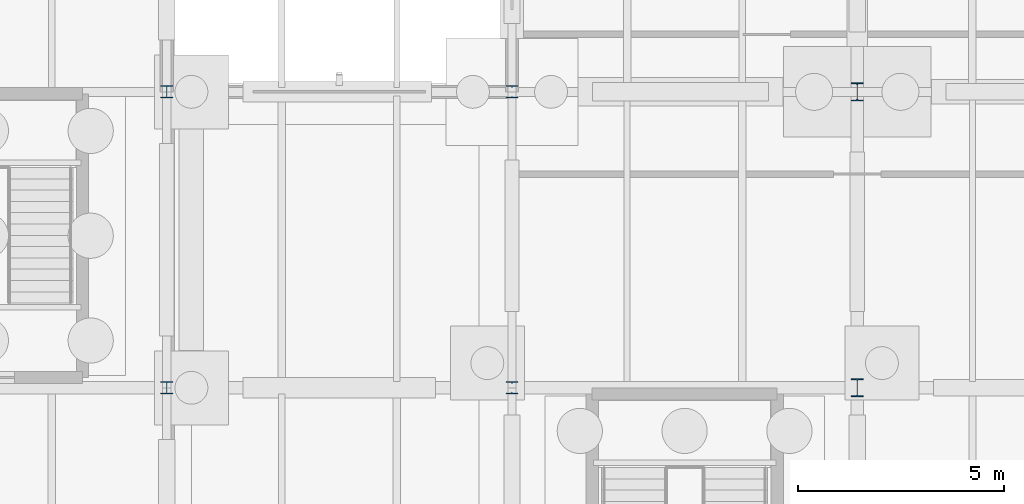
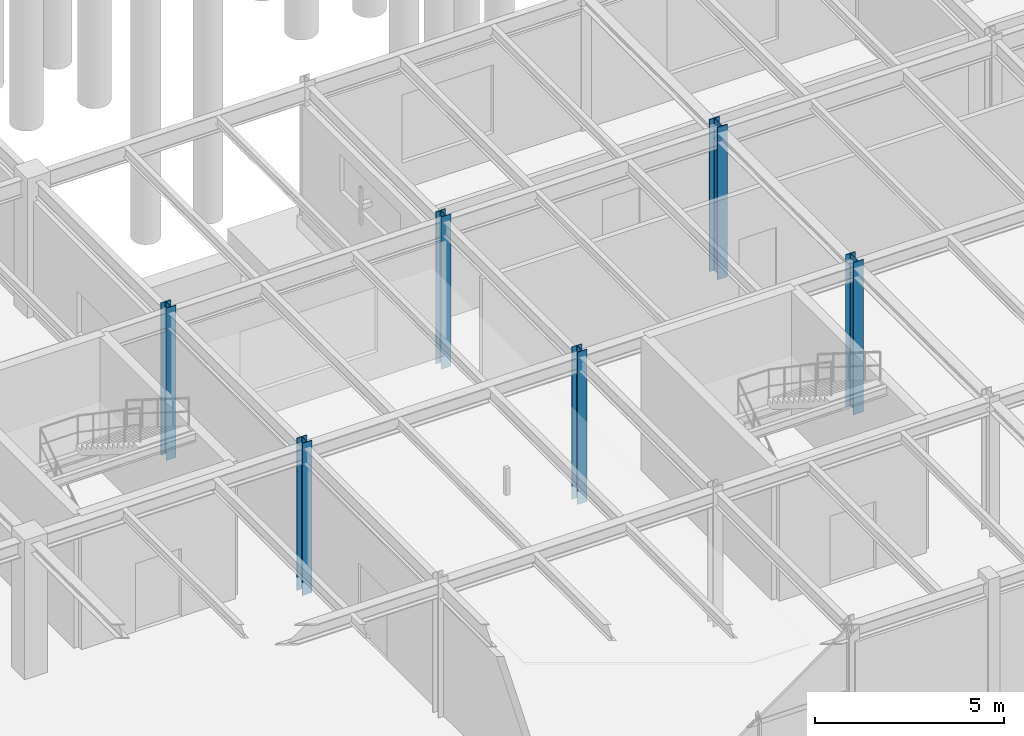
# One storey, part 16 of 93: 6 columns.
"""IFC4 building model written with IfcOpenShell, lengths in metres."""

import ifcopenshell
import ifcopenshell.guid

model = None  # the IFC model being written
_history = None  # IfcOwnerHistory: only IFC2X3 demands one
_inside = {}  # id of a spatial element -> (the spatial element, [elements in it])
_under = {}  # id of a project, library or spatial element -> (it, [spatial elements below it])
_declared = {}  # id of a project -> (the project, [libraries it declares])
_typed = {}  # id of a type object -> (the type object, [elements of that type])
_made_of = {}  # id of a material, layer set ... -> (it, [elements and type objects made of it])


def new_model(schema):
    """Start an empty IFC model of exactly this schema.

    Asked for "IFC4X3", IfcOpenShell would pick the latest addendum, in which some entities
    have other attributes; the version numbers below select the first issue.
    IFC2X3 requires an IfcOwnerHistory on every rooted entity: one is made here for all.
    """
    global model, _history
    if schema == "IFC4X3":
        model = ifcopenshell.file(schema_version=(4, 3, 0, 0))
    else:
        model = ifcopenshell.file(schema=schema)
    _inside.clear()
    _under.clear()
    _declared.clear()
    _typed.clear()
    _made_of.clear()
    _history = None
    if model.schema == "IFC2X3":
        org = make("IfcOrganization", Name="unknown")
        user = make(
            "IfcPersonAndOrganization",
            ThePerson=make("IfcPerson", FamilyName="unknown"),
            TheOrganization=org,
        )
        app = make(
            "IfcApplication",
            ApplicationDeveloper=org,
            Version="unknown",
            ApplicationFullName="unknown",
            ApplicationIdentifier="unknown",
        )
        _history = make(
            "IfcOwnerHistory",
            OwningUser=user,
            OwningApplication=app,
            ChangeAction="ADDED",
            CreationDate=0,
        )
    return model


def make(cls, **values):
    """One entity of the class cls with the attributes given. An attribute that is None is left unset."""
    return model.create_entity(
        cls, **{name: value for name, value in values.items() if value is not None}
    )


def rooted(cls, **values):
    """An entity with a GlobalId (a new one), such as an element, a storey or a relation."""
    return make(cls, GlobalId=ifcopenshell.guid.new(), OwnerHistory=_history, **values)


def si_unit(unit_type, name, prefix=None):
    """IfcSIUnit, for example si_unit("LENGTHUNIT", "METRE", prefix="MILLI")."""
    return make("IfcSIUnit", UnitType=unit_type, Prefix=prefix, Name=name)


def derived_unit(unit_type, elements):
    """IfcDerivedUnit: a product of units, each with its exponent."""
    return make(
        "IfcDerivedUnit",
        Elements=[
            make("IfcDerivedUnitElement", Unit=unit, Exponent=power)
            for unit, power in elements
        ],
        UnitType=unit_type,
    )


def assignment(units):
    """IfcUnitAssignment: the units of a project."""
    return None if units is None else make("IfcUnitAssignment", Units=units)


def point(xyz):
    """IfcCartesianPoint."""
    return None if xyz is None else make("IfcCartesianPoint", Coordinates=xyz)


def direction(xyz):
    """IfcDirection."""
    return None if xyz is None else make("IfcDirection", DirectionRatios=xyz)


def frame(location, z_axis=None, x_axis=None):
    """IfcAxis2Placement3D, a coordinate frame: its origin and axes. An axis left out is left unset."""
    return make(
        "IfcAxis2Placement3D",
        Location=point(location),
        Axis=direction(z_axis),
        RefDirection=direction(x_axis),
    )


def frame_2d(location, x_axis=None):
    """IfcAxis2Placement2D, a coordinate frame in the plane: its origin and x axis."""
    return make(
        "IfcAxis2Placement2D", Location=point(location), RefDirection=direction(x_axis)
    )


def origin():
    """The frame at (0, 0, 0) with its axes left unset."""
    return frame((0.0, 0.0, 0.0))


def origin_2d():
    """The frame at (0, 0) in the plane with its x axis left unset."""
    return frame_2d((0.0, 0.0))


def place(relative_to, where):
    """IfcLocalPlacement: puts the frame where relative to a parent placement (None: the world)."""
    return make(
        "IfcLocalPlacement", PlacementRelTo=relative_to, RelativePlacement=where
    )


def context(
    kind, dimensions, precision=None, world=None, true_north=None, identifier=None
):
    """IfcGeometricRepresentationContext, for example the 3D "Model" context."""
    return make(
        "IfcGeometricRepresentationContext",
        ContextIdentifier=identifier,
        ContextType=kind,
        CoordinateSpaceDimension=dimensions,
        Precision=precision,
        WorldCoordinateSystem=world,
        TrueNorth=true_north,
    )


def subcontext(parent, identifier, kind, view, scale=None):
    """IfcGeometricRepresentationSubContext, for example "Body" below "Model"."""
    return make(
        "IfcGeometricRepresentationSubContext",
        ContextIdentifier=identifier,
        ContextType=kind,
        ParentContext=parent,
        TargetScale=scale,
        TargetView=view,
    )


def project(units=None, contexts=None):
    """IfcProject with its units and contexts."""
    return rooted(
        "IfcProject",
        Name="project",
        RepresentationContexts=contexts,
        UnitsInContext=assignment(units),
    )


def spatial(cls, under=None, at=None, **own):
    """A site, building, storey or space (cls), placed at a placement, below another one or the project."""
    s = rooted(cls, ObjectPlacement=at, **own)
    if under is not None:
        _under.setdefault(under.id(), (under, []))[1].append(s)
    return s


def profile(cls, at=None, kind="AREA", **sizes):
    """A parametric profile (cls). Its sizes go by their IFC names, for example OverallWidth=200.0."""
    return make(cls, ProfileType=kind, Position=at, **sizes)


def i_section(**sizes):
    """IfcIShapeProfileDef."""
    return profile("IfcIShapeProfileDef", **sizes)


def extrude(swept, where, along, depth):
    """IfcExtrudedAreaSolid: the profile swept, set in the frame where, extruded along a direction by depth."""
    return make(
        "IfcExtrudedAreaSolid",
        SweptArea=swept,
        Position=where,
        ExtrudedDirection=direction(along),
        Depth=depth,
    )


def shape(context_of_items, identifier, shape_type, items):
    """IfcShapeRepresentation: the items that make up one representation, for example the "Body"."""
    return make(
        "IfcShapeRepresentation",
        ContextOfItems=context_of_items,
        RepresentationIdentifier=identifier,
        RepresentationType=shape_type,
        Items=items,
    )


def material(Name=None, Category=None):
    """IfcMaterial."""
    return make("IfcMaterial", Name=Name, Category=Category)


def material_profile(
    of_material, cross_section, Name=None, Category=None, Priority=None
):
    """IfcMaterialProfile: a cross section and its material."""
    return make(
        "IfcMaterialProfile",
        Name=Name,
        Material=of_material,
        Profile=cross_section,
        Priority=Priority,
        Category=Category,
    )


def profile_set(profiles, Name=None, composite=None):
    """IfcMaterialProfileSet."""
    return make(
        "IfcMaterialProfileSet",
        Name=Name,
        MaterialProfiles=profiles,
        CompositeProfile=composite,
    )


def made_of(thing, what):
    """Note that an element or type object is made of a material, layer set ...; save() writes the relation."""
    if what is not None:
        _made_of.setdefault(what.id(), (what, []))[1].append(thing)
    return thing


def type_object(cls, material=None, **own):
    """A type object (cls), such as IfcWallType, which elements share."""
    return made_of(rooted(cls, **own), material)


def element(
    cls,
    number,
    at=None,
    inside=None,
    cuts=None,
    type_object=None,
    material=None,
    context=None,
    identifier="Body",
    shape_type=None,
    held_by="IfcProductDefinitionShape",
    body=None,
    shapes=None,
    **own,
):
    """One element of the class cls, such as IfcWall. Its Tag is "e" and its number.

    at: its placement. inside: the storey or other place that contains it. cuts: it is an
    opening in that element (IfcRelVoidsElement). A single representation is given by context,
    identifier, shape_type and body (its items); several are given by shapes. held_by: the class
    of the entity that holds the representations. save() writes the other relations.
    """
    e = rooted(cls, Tag="e%d" % number, ObjectPlacement=at, **own)
    if body is not None:
        shapes = [shape(context, identifier, shape_type, body)]
    if shapes is not None:
        e.Representation = make(held_by, Representations=shapes)
    if inside is not None:
        _inside.setdefault(inside.id(), (inside, []))[1].append(e)
    if cuts is not None:
        rooted(
            "IfcRelVoidsElement", RelatingBuildingElement=cuts, RelatedOpeningElement=e
        )
    if type_object is not None:
        _typed.setdefault(type_object.id(), (type_object, []))[1].append(e)
    return made_of(e, material)


def aggregate(whole, parts):
    """IfcRelAggregates: a whole, such as a stair, and the parts it consists of."""
    return rooted("IfcRelAggregates", RelatingObject=whole, RelatedObjects=parts)


def save(model, path):
    """Write the relations noted so far, then the file.

    IfcRelAggregates (storeys below a building ...), IfcRelContainedInSpatialStructure (elements
    in a storey), IfcRelDefinesByType, IfcRelAssociatesMaterial and IfcRelDeclares: one each for
    every whole, place, type object, material and project.
    """
    for whole, parts in _under.values():
        aggregate(whole, parts)
    for where, things in _inside.values():
        rooted(
            "IfcRelContainedInSpatialStructure",
            RelatedElements=things,
            RelatingStructure=where,
        )
    for kind, things in _typed.values():
        rooted("IfcRelDefinesByType", RelatedObjects=things, RelatingType=kind)
    for what, things in _made_of.values():
        rooted("IfcRelAssociatesMaterial", RelatedObjects=things, RelatingMaterial=what)
    for by, libraries in _declared.values():
        rooted("IfcRelDeclares", RelatingContext=by, RelatedDefinitions=libraries)
    model.write(path)


model = new_model("IFC4")

# Units and contexts
model_context = context("Model", 3, precision=1e-05, world=origin(), true_north=direction((0.0, 1.0)))
body_context = subcontext(model_context, "Body", "Model", "MODEL_VIEW")
ifc_project = project(units=[si_unit("LENGTHUNIT", "METRE"), si_unit("AREAUNIT", "SQUARE_METRE"), si_unit("VOLUMEUNIT", "CUBIC_METRE"), si_unit("PLANEANGLEUNIT", "RADIAN"), si_unit("MASSUNIT", "GRAM", prefix="KILO"), derived_unit("THERMALTRANSMITTANCEUNIT", [(si_unit("MASSUNIT", "GRAM", prefix="KILO"), 1), (si_unit("TIMEUNIT", "SECOND"), -3), (si_unit("THERMODYNAMICTEMPERATUREUNIT", "KELVIN"), -1)])], contexts=[model_context])

# Site, building, storey
site_placement = place(None, origin())
site = spatial("IfcSite", under=ifc_project, at=site_placement, CompositionType="ELEMENT")
building_placement = place(site_placement, origin())
building = spatial("IfcBuilding", under=site, at=building_placement, Name="Kharveza Railside Sports Centre", CompositionType="ELEMENT")
storey_placement = place(building_placement, origin())
storey = spatial("IfcBuildingStorey", under=building, at=storey_placement, Name="L00", CompositionType="ELEMENT", Elevation=0.0)

# Columns
ifc_material = material(Name="Steel S355J2", Category="steel")
ifc_material_profile_1 = material_profile(ifc_material, i_section(OverallWidth=0.300048828125, OverallDepth=0.300048828125, WebThickness=0.010986328125, FlangeThickness=0.01904296875, FilletRadius=0.027099609375, at=origin_2d()), Name="HEB 300")
ifc_profile_set_1 = profile_set([ifc_material_profile_1], Name="Steel S355J2")
column_type_1 = type_object("IfcColumnType", Name="COL-S07", PredefinedType="COLUMN", material=ifc_profile_set_1)
for number, where, z_axis, x_axis, name in (
    (1, (100.800048828125, 21.60009765625, -0.419921875), (0.0, 0.0, 1.0), (1.0, 0.0, 0.0), "COL-G-C07-X1008-Y216-L00"),
    (2, (100.800048828125, 28.800048828125, -0.419921875), (0.0, 0.0, 1.0), (1.0, 0.0, 0.0), "COL-G-C07-X1008-Y288-L00"),
    (3, (109.199951171875, 21.60009765625, -0.419921875), (0.0, 0.0, 1.0), (1.0, 0.0, 0.0), "COL-G-C07-X1092-Y216-L00"),
    (4, (109.199951171875, 28.800048828125, -0.419921875), (0.0, 0.0, 1.0), (1.0, 0.0, 0.0), "COL-G-C07-X1092-Y288-L00"),
):
    element("IfcColumn", number, at=place(storey_placement, frame(where, z_axis=z_axis, x_axis=x_axis)), inside=storey, type_object=column_type_1, Name=name, PredefinedType="COLUMN", context=body_context, shape_type="SweptSolid", body=[
        extrude(i_section(OverallWidth=0.300048828125, OverallDepth=0.300048828125, WebThickness=0.010986328125, FlangeThickness=0.01904296875, FilletRadius=0.027099609375, at=origin_2d()), origin(), (0.0, 0.0, 1.0), 4.919921875),
    ])
ifc_material_profile_2 = material_profile(ifc_material, i_section(OverallWidth=0.300048828125, OverallDepth=0.43994140625, WebThickness=0.011474609375, FlangeThickness=0.02099609375, FilletRadius=0.027099609375, at=origin_2d()), Name="HEA 450")
ifc_profile_set_2 = profile_set([ifc_material_profile_2], Name="Steel S355J2")
column_type_2 = type_object("IfcColumnType", Name="COL-S09", PredefinedType="COLUMN", material=ifc_profile_set_2)
for number, where, z_axis, x_axis, name in (
    (5, (117.60009765625, 21.60009765625, -0.419921875), (0.0, 0.0, 1.0), (1.0, 0.0, 0.0), "COL-G-C09-X1176-Y216-L00"),
    (6, (117.60009765625, 28.800048828125, -0.419921875), (0.0, 0.0, 1.0), (1.0, 0.0, 0.0), "COL-G-C09-X1176-Y288-L00"),
):
    element("IfcColumn", number, at=place(storey_placement, frame(where, z_axis=z_axis, x_axis=x_axis)), inside=storey, type_object=column_type_2, Name=name, PredefinedType="COLUMN", context=body_context, shape_type="SweptSolid", body=[
        extrude(i_section(OverallWidth=0.300048828125, OverallDepth=0.43994140625, WebThickness=0.011474609375, FlangeThickness=0.02099609375, FilletRadius=0.027099609375, at=origin_2d()), origin(), (0.0, 0.0, 1.0), 4.919921875),
    ])

save(model, "model.ifc")
